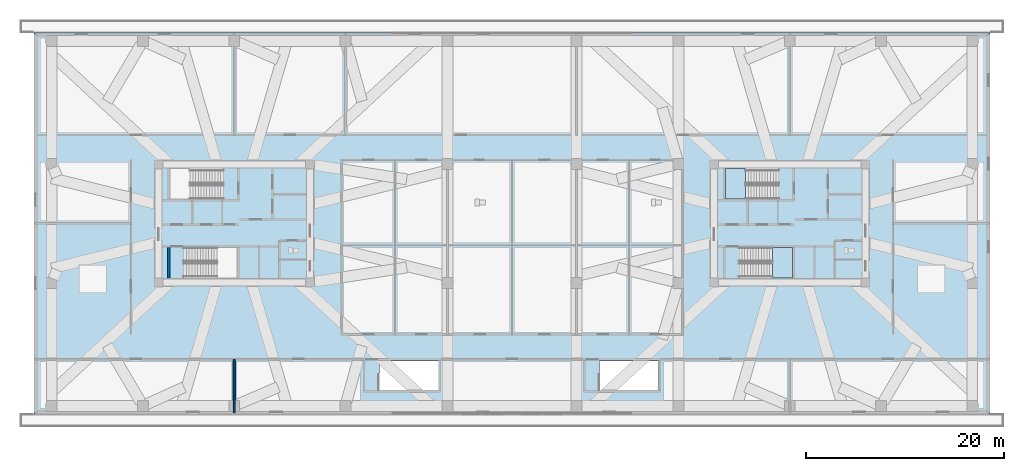
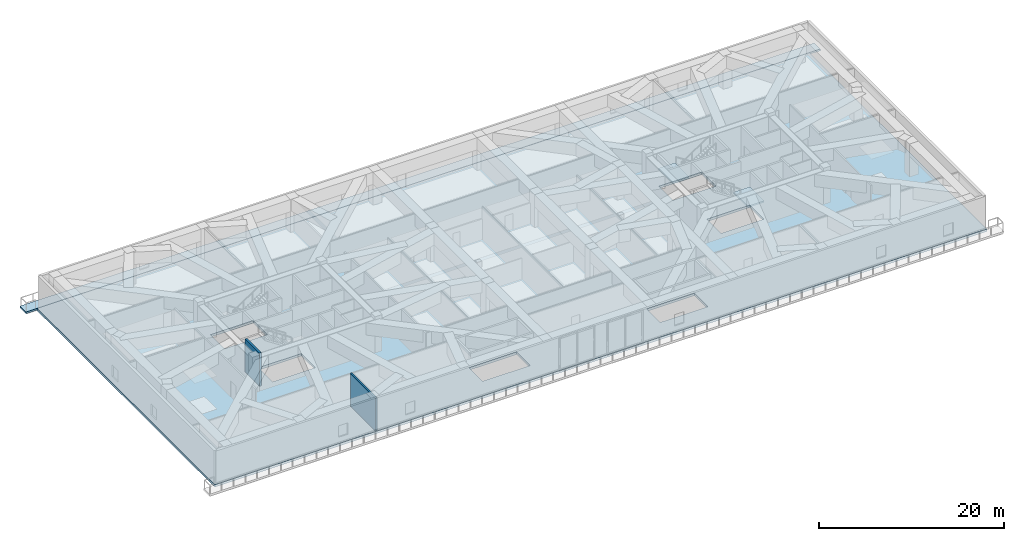
# One storey, part 4 of 21: 4 slabs, 2 walls, 2 elements without a shape of their own.
"""IFC4 building model written with IfcOpenShell, lengths in metres."""

from ifc_helpers import new_model, si_unit, direction, frame, frame_2d, origin, place, context, subcontext, project, spatial, polyline, rectangle, outline, extrude, source, transform, mapped, material, layer, layer_set, type_object, type_shapes, element, aggregate, save


model = new_model("IFC4")

# Units and contexts
model_context = context("Model", 3, precision=1e-05, world=origin(), true_north=direction((0.0, 1.0)))
body_context = subcontext(model_context, "Body", "Model", "MODEL_VIEW")
ifc_project = project(units=[si_unit("LENGTHUNIT", "METRE"), si_unit("AREAUNIT", "SQUARE_METRE"), si_unit("VOLUMEUNIT", "CUBIC_METRE"), si_unit("PLANEANGLEUNIT", "RADIAN"), si_unit("MASSUNIT", "GRAM", prefix="KILO")], contexts=[model_context])

# Site, building, storey
site_placement = place(None, origin())
site = spatial("IfcSite", under=ifc_project, at=site_placement, CompositionType="ELEMENT")
building_placement = place(site_placement, origin())
building = spatial("IfcBuilding", under=site, at=building_placement, Name="Norrkilde Senior Care Towers", CompositionType="ELEMENT")
storey_placement = place(building_placement, frame((0.0, 0.0, 16.800048828125)))
storey = spatial("IfcBuildingStorey", under=building, at=storey_placement, Name="L04", CompositionType="ELEMENT", Elevation=16.800048828125)

# Slabs
ifc_material_1 = material(Name="Concrete C45/55", Category="concrete")
ifc_layer_1 = layer(ifc_material_1, 0.22998046875)
ifc_layer_set_1 = layer_set([ifc_layer_1], Name="Concrete C45/55")
slab_type_1 = type_object("IfcSlabType", Name="Cascading Garden Terrace Slab 230", PredefinedType="FLOOR", material=ifc_layer_set_1)
slab_1_placement = place(storey_placement, frame((0.0, 0.0, -0.22998046875)))
element("IfcSlab", 1, at=slab_1_placement, inside=storey, type_object=slab_type_1, Name="L04 N Cascading Rehabilitation Garden Terrace", PredefinedType="FLOOR", context=body_context, shape_type="SweptSolid", body=[
    extrude(outline(polyline([(-49.60009765625, 19.205078125), (49.60009765625, 19.205078125), (49.60009765625, 20.5), (-49.60009765625, 20.5), (-49.60009765625, 19.205078125)])), origin(), (0.0, 0.0, 1.0), 0.22998046875),
])
ifc_material_2 = material(Name="Concrete C50/60", Category="concrete")
ifc_layer_2 = layer(ifc_material_2, 0.320068359375)
ifc_layer_set_2 = layer_set([ifc_layer_2], Name="Concrete C50/60")
slab_type_2 = type_object("IfcSlabType", Name="Podium Clinic Floor Slab 320", PredefinedType="FLOOR", material=ifc_layer_set_2)
slab_2_placement = place(storey_placement, frame((0.0, 0.0, -0.320068359375)))
element("IfcSlab", 2, at=slab_2_placement, inside=storey, type_object=slab_type_2, Name="L04 Structural Podium Slab", PredefinedType="FLOOR", context=body_context, shape_type="SweptSolid", body=[
    extrude(outline(polyline([(-48.199951171875, 19.199951171875), (48.199951171875, 19.199951171875), (48.199951171875, -19.199951171875), (-48.199951171875, -19.199951171875), (-48.199951171875, 19.199951171875)]), holes=[polyline([(-34.48193359375, 2.468017578125), (-29.117919921875, 2.468017578125), (-29.117919921875, 5.52490234375), (-34.48193359375, 5.52490234375), (-34.48193359375, 2.468017578125)]), polyline([(-27.718017578125, -5.52490234375), (-27.718017578125, -2.468017578125), (-33.08203125, -2.468017578125), (-33.08203125, -5.52490234375), (-27.718017578125, -5.52490234375)]), polyline([(26.882080078125, 5.52490234375), (21.51806640625, 5.52490234375), (21.51806640625, 2.468017578125), (26.882080078125, 2.468017578125), (26.882080078125, 5.52490234375)]), polyline([(22.91796875, -2.468017578125), (22.91796875, -5.52490234375), (28.281982421875, -5.52490234375), (28.281982421875, -2.468017578125), (22.91796875, -2.468017578125)]), polyline([(-7.41796875, -13.867919921875), (-13.382080078125, -13.867919921875), (-13.382080078125, -16.781982421875), (-7.41796875, -16.781982421875), (-7.41796875, -13.867919921875)]), polyline([(14.781982421875, -16.781982421875), (14.781982421875, -13.867919921875), (8.818115234375, -13.867919921875), (8.818115234375, -16.781982421875), (14.781982421875, -16.781982421875)])]), origin(), (0.0, 0.0, 1.0), 0.320068359375),
])

# Stair, slab
stair_type = type_object("IfcStairType", Name="Core Protected Dogleg Stair Transfer 4800", PredefinedType="HALF_TURN_STAIR", material=ifc_material_1)
stair_1_placement = place(storey_placement, origin())
stair_1 = element("IfcStair", 3, at=stair_1_placement, inside=storey, type_object=stair_type, Name="L04 Protected Core Stair E1", PredefinedType="HALF_TURN_STAIR")
ifc_layer_3 = layer(ifc_material_1, 0.199951171875)
ifc_layer_set_3 = layer_set([ifc_layer_3], Name="Concrete C45/55")
slab_type_3 = type_object("IfcSlabType", Name="Stair Landing Slab 200", PredefinedType="LANDING", material=ifc_layer_set_3)
slab_3_placement = place(storey_placement, frame((0.0, 0.0, 2.199951171875)))
slab_3 = element("IfcSlab", 4, at=slab_3_placement, type_object=slab_type_3, Name="ST-E1 landing 1", PredefinedType="LANDING", context=body_context, shape_type="SweptSolid", body=[
    extrude(outline(polyline([(23.5400390625, 5.52490234375), (21.5, 5.52490234375), (21.5, 2.449951171875), (23.5400390625, 2.449951171875), (23.5400390625, 5.52490234375)])), origin(), (0.0, 0.0, 1.0), 0.199951171875),
])
aggregate(stair_1, [slab_3])

stair_2_placement = place(storey_placement, origin())
stair_2 = element("IfcStair", 5, at=stair_2_placement, inside=storey, type_object=stair_type, Name="L04 Protected Core Stair E2", PredefinedType="HALF_TURN_STAIR")
slab_4_placement = place(storey_placement, frame((0.0, 0.0, 2.199951171875)))
slab_4 = element("IfcSlab", 6, at=slab_4_placement, type_object=slab_type_3, Name="ST-E2 landing 1", PredefinedType="LANDING", context=body_context, shape_type="SweptSolid", body=[
    extrude(outline(polyline([(26.260009765625, -5.52490234375), (28.300048828125, -5.52490234375), (28.300048828125, -2.449951171875), (26.260009765625, -2.449951171875), (26.260009765625, -5.52490234375)])), origin(), (0.0, 0.0, 1.0), 0.199951171875),
])
aggregate(stair_2, [slab_4])

# Walls
ifc_layer_4 = layer(ifc_material_1, 0.239990234375)
ifc_layer_set_4 = layer_set([ifc_layer_4], Name="Concrete C45/55")
wall_type_1 = type_object("IfcWallType", Name="Shaft and Stair Enclosure Wall 240", PredefinedType="PARTITIONING", material=ifc_layer_set_4)
shared_shape_1 = source(origin(), body_context, "Body", "SweptSolid", [
    extrude(rectangle(XDim=3.074951171875, YDim=0.239990234375, at=frame_2d((1.53759765625, 0.0))), origin(), (0.0, 0.0, 1.0), 4.3798828125),
])
type_shapes(wall_type_1, [shared_shape_1])
wall_1_placement = place(storey_placement, frame((-34.6201171875, -5.52490234375, 0.0), z_axis=(0.0, 0.0, 1.0), x_axis=(0.0, 1.0, 0.0)))
element("IfcWall", 7, at=wall_1_placement, inside=storey, type_object=wall_type_1, Name="WL-INT-L04-W-ST2W", PredefinedType="PARTITIONING", context=body_context, shape_type="MappedRepresentation", body=[
    mapped(shared_shape_1, transform((0.0, 0.0, 0.0), x_axis=(1.0, 0.0, 0.0), y_axis=(0.0, 1.0, 0.0), z_axis=(0.0, 0.0, 1.0), scale=1.0)),
])
ifc_material_3 = material(Name="Gypsum Acoustic Board")
ifc_layer_5 = layer(ifc_material_3, 0.18994140625)
ifc_layer_set_5 = layer_set([ifc_layer_5], Name="Gypsum Acoustic Board")
wall_type_2 = type_object("IfcWallType", Name="Unit Demising Acoustic Wall 190", PredefinedType="PARTITIONING", material=ifc_layer_set_5)
shared_shape_2 = source(origin(), body_context, "Body", "SweptSolid", [
    extrude(rectangle(XDim=5.400146484375, YDim=0.18994140625, at=frame_2d((2.7001953125, 0.0))), origin(), (0.0, 0.0, 1.0), 4.364990234375),
])
type_shapes(wall_type_2, [shared_shape_2])
wall_2_placement = place(storey_placement, frame((-28.0, -19.10009765625, 0.0), z_axis=(0.0, 0.0, 1.0), x_axis=(0.0, 1.0, 0.0)))
element("IfcWall", 8, at=wall_2_placement, inside=storey, type_object=wall_type_2, Name="WL-INT-L04-POD-SWD", PredefinedType="PARTITIONING", context=body_context, shape_type="MappedRepresentation", body=[
    mapped(shared_shape_2, transform((0.0, 0.0, 0.0), x_axis=(1.0, 0.0, 0.0), y_axis=(0.0, 1.0, 0.0), z_axis=(0.0, 0.0, 1.0), scale=1.0)),
])

save(model, "model.ifc")
